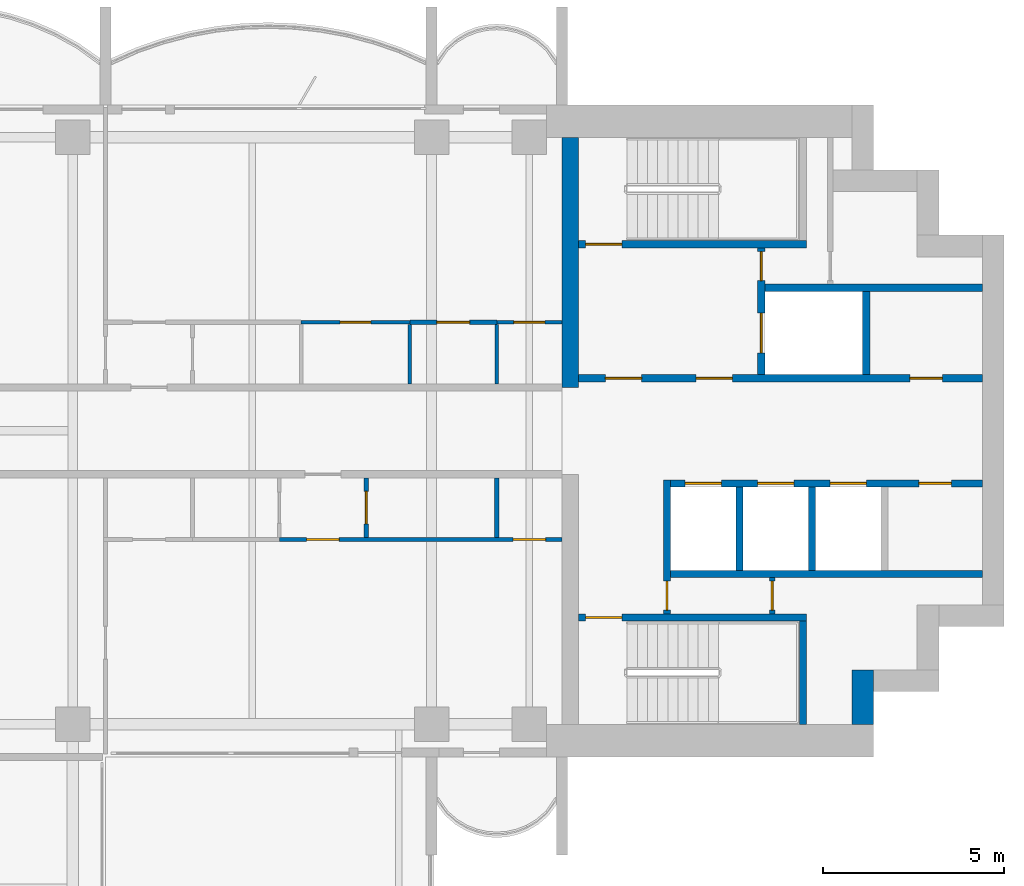
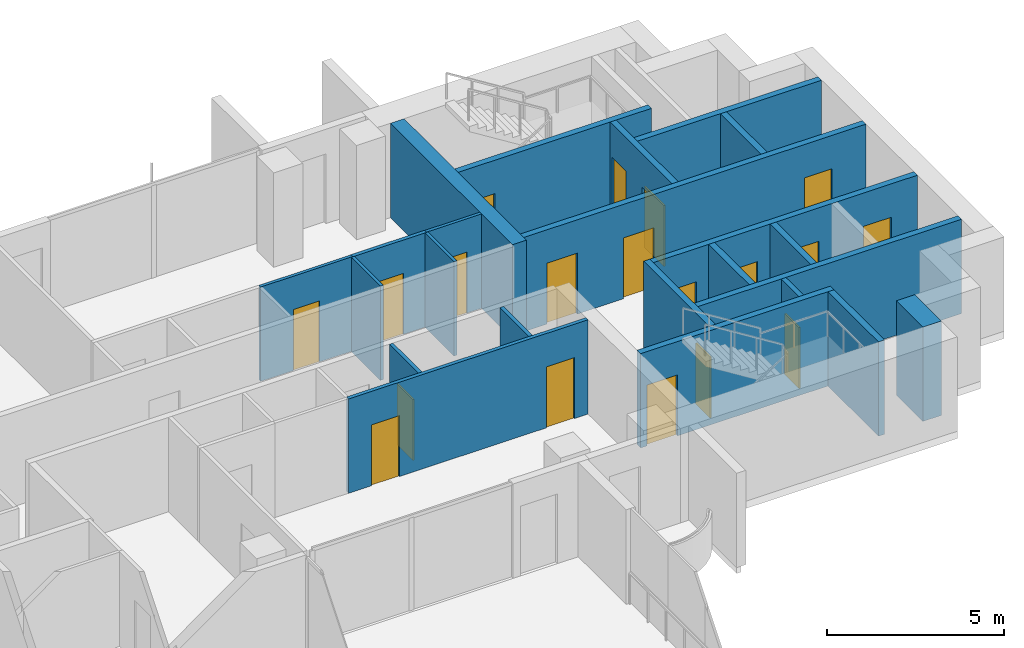
# One storey, part 12 of 17: 23 walls, 19 doors, 19 openings.
"""IFC4 building model written with IfcOpenShell, lengths in metres."""

from ifc_helpers import new_model, si_unit, direction, frame, frame_2d, origin, place, context, subcontext, project, spatial, rectangle, extrude, material, layer, layer_set, type_object, element, fill, save


model = new_model("IFC4")

# Units and contexts
model_context = context("Model", 3, precision=1e-05, world=origin(), true_north=direction((0.0, 1.0)))
body_context = subcontext(model_context, "Body", "Model", "MODEL_VIEW")
ifc_project = project(units=[si_unit("LENGTHUNIT", "METRE"), si_unit("AREAUNIT", "SQUARE_METRE"), si_unit("VOLUMEUNIT", "CUBIC_METRE"), si_unit("PLANEANGLEUNIT", "RADIAN"), si_unit("MASSUNIT", "GRAM", prefix="KILO")], contexts=[model_context])

# Site, building, storey
site_placement = place(None, origin())
site = spatial("IfcSite", under=ifc_project, at=site_placement, CompositionType="ELEMENT")
building_placement = place(site_placement, origin())
building = spatial("IfcBuilding", under=site, at=building_placement, Name="Perihelion Cross Residences", CompositionType="ELEMENT")
storey_placement = place(building_placement, frame((0.0, 0.0, 194.60009765625)))
storey = spatial("IfcBuildingStorey", under=building, at=storey_placement, Name="L48", CompositionType="ELEMENT", Elevation=194.60009765625)

# Walls
ifc_material_1 = material(Name="Concrete C60/75", Category="concrete")
ifc_layer_1 = layer(ifc_material_1, 0.449951171875)
ifc_layer_set_1 = layer_set([ifc_layer_1], Name="Core wall, inner 450")
wall_type_1 = type_object("IfcWallType", Name="Core wall, inner 450", PredefinedType="SHEAR", material=ifc_layer_set_1)
wall_1_placement = place(storey_placement, frame((21.824951171875, 1.199951171875, 0.0), z_axis=(0.0, 0.0, 1.0), x_axis=(0.0, 1.0, 0.0)))
element("IfcWall", 1, at=wall_1_placement, inside=storey, type_object=wall_type_1, Name="East core core wall, inner", PredefinedType="SHEAR", context=body_context, shape_type="SweptSolid", body=[
    extrude(rectangle(XDim=6.900146484375, YDim=0.449951171875, at=frame_2d((3.4501953125, 0.0))), origin(), (0.0, 0.0, 1.0), 3.25),
])
ifc_material_2 = material(Name="Concrete C60/75", Category="concrete")
ifc_layer_2 = layer(ifc_material_2, 0.60009765625)
ifc_layer_set_2 = layer_set([ifc_layer_2], Name="Core wall, outer 600")
wall_type_2 = type_object("IfcWallType", Name="Core wall, outer 600", PredefinedType="SHEAR", material=ifc_layer_set_2)
wall_2_placement = place(storey_placement, frame((29.89990234375, -8.10009765625, 0.0), z_axis=(0.0, 0.0, 1.0), x_axis=(0.0, 1.0, 0.0)))
element("IfcWall", 2, at=wall_2_placement, inside=storey, type_object=wall_type_2, Name="East core core wall, outer", PredefinedType="SHEAR", context=body_context, shape_type="SweptSolid", body=[
    extrude(rectangle(XDim=1.5, YDim=0.60009765625, at=frame_2d((0.75, 0.0))), origin(), (0.0, 0.0, 1.0), 3.25),
])

# Wall, opening, door
ifc_material_3 = material(Name="Concrete C50/60", Category="concrete")
ifc_layer_3 = layer(ifc_material_3, 0.199951171875)
ifc_layer_set_3 = layer_set([ifc_layer_3], Name="Lobby wall 200")
wall_type_3 = type_object("IfcWallType", Name="Lobby wall 200", PredefinedType="SOLIDWALL", material=ifc_layer_set_3)
wall_3_placement = place(storey_placement, frame((24.5, -5.050048828125, 0.0), z_axis=(0.0, 0.0, 1.0), x_axis=(0.0, 1.0, 0.0)))
wall_3 = element("IfcWall", 3, at=wall_3_placement, inside=storey, type_object=wall_type_3, Name="East core lobby wall", PredefinedType="SOLIDWALL", context=body_context, shape_type="SweptSolid", body=[
    extrude(rectangle(XDim=3.699951171875, YDim=0.199951171875, at=frame_2d((1.85009765625, 0.0))), origin(), (0.0, 0.0, 1.0), 3.25),
])
opening_1_placement = place(wall_3_placement, frame((0.10009765625, 0.0, 0.0)))
opening_1 = element("IfcOpeningElement", 4, at=opening_1_placement, cuts=wall_3, Name="Opening L48.C08", PredefinedType="OPENING", context=body_context, shape_type="SweptSolid", body=[
    extrude(rectangle(XDim=0.800048828125, YDim=2.10009765625, at=frame_2d((0.39990234375, 1.050048828125))), frame((0.0, 0.10986328125, 0.0), z_axis=(0.0, -1.0, 0.0), x_axis=(1.0, 0.0, 0.0)), (0.0, 0.0, 1.0), 0.219970703125),
])
ifc_material_4 = material(Name="Steel, powder coated", Category="steel")
door_type_1 = type_object("IfcDoorType", Name="Riser door 800", OperationType="SINGLE_SWING_LEFT", PredefinedType="DOOR", material=ifc_material_4)
door_1_placement = place(opening_1_placement, origin())
door_1 = element("IfcDoor", 5, at=door_1_placement, inside=storey, type_object=door_type_1, Name="East core riser door", OperationType="SINGLE_SWING_LEFT", OverallHeight=2.10009765625, OverallWidth=0.800048828125, PredefinedType="DOOR", context=body_context, shape_type="SweptSolid", body=[
    extrude(rectangle(XDim=0.800048828125, YDim=2.10009765625, at=frame_2d((0.39990234375, 1.050048828125))), frame((0.0, 0.02490234375, 0.0), z_axis=(0.0, -1.0, 0.0), x_axis=(1.0, 0.0, 0.0)), (0.0, 0.0, 1.0), 0.050048828125),
])
fill(opening_1, door_1)

ifc_material_5 = material(Name="Plasterboard partition")
ifc_layer_4 = layer(ifc_material_5, 0.1201171875)
ifc_layer_set_4 = layer_set([ifc_layer_4], Name="Partition wall 120")
wall_type_4 = type_object("IfcWallType", Name="Partition wall 120", PredefinedType="PARTITIONING", material=ifc_layer_set_4)
wall_4_placement = place(storey_placement, frame((17.39990234375, 3.0, 0.0), z_axis=(0.0, 0.0, 1.0), x_axis=(1.0, 0.0, 0.0)))
wall_4 = element("IfcWall", 6, at=wall_4_placement, inside=storey, type_object=wall_type_4, Name="Partition L48 W029", PredefinedType="PARTITIONING", context=body_context, shape_type="SweptSolid", body=[
    extrude(rectangle(XDim=2.400146484375, YDim=0.1201171875, at=frame_2d((1.2001953125, 0.0))), origin(), (0.0, 0.0, 1.0), 3.25),
])
opening_2_placement = place(wall_4_placement, frame((0.75, 0.0, 0.0)))
opening_2 = element("IfcOpeningElement", 7, at=opening_2_placement, cuts=wall_4, Name="Opening L48.A08", PredefinedType="OPENING", context=body_context, shape_type="SweptSolid", body=[
    extrude(rectangle(XDim=0.89990234375, YDim=2.10009765625, at=frame_2d((0.449951171875, 1.050048828125))), frame((0.0, 0.070068359375, 0.0), z_axis=(0.0, -1.0, 0.0), x_axis=(1.0, 0.0, 0.0)), (0.0, 0.0, 1.0), 0.14013671875),
])
ifc_material_6 = material(Name="Timber door leaf", Category="wood")
door_type_2 = type_object("IfcDoorType", Name="Interior room door 900 x 2100", OperationType="SINGLE_SWING_LEFT", PredefinedType="DOOR", material=ifc_material_6)
door_2_placement = place(opening_2_placement, origin())
door_2 = element("IfcDoor", 8, at=door_2_placement, inside=storey, type_object=door_type_2, Name="Door L48.A08", OperationType="SINGLE_SWING_RIGHT", OverallHeight=2.10009765625, OverallWidth=0.89990234375, PredefinedType="DOOR", context=body_context, shape_type="SweptSolid", body=[
    extrude(rectangle(XDim=0.89990234375, YDim=2.10009765625, at=frame_2d((0.449951171875, 1.050048828125))), frame((0.0, 0.02490234375, 0.0), z_axis=(0.0, -1.0, 0.0), x_axis=(1.0, 0.0, 0.0)), (0.0, 0.0, 1.0), 0.050048828125),
])
fill(opening_2, door_2)

wall_5_placement = place(storey_placement, frame((16.199951171875, -1.300048828125, 0.0), z_axis=(0.0, 0.0, 1.0), x_axis=(0.0, -1.0, 0.0)))
wall_5 = element("IfcWall", 9, at=wall_5_placement, inside=storey, type_object=wall_type_4, Name="Partition L48 W037", PredefinedType="PARTITIONING", context=body_context, shape_type="SweptSolid", body=[
    extrude(rectangle(XDim=1.639892578125, YDim=0.1201171875, at=frame_2d((0.81982421875, 0.0))), origin(), (0.0, 0.0, 1.0), 3.25),
])
opening_3_placement = place(wall_5_placement, frame((0.3701171875, 0.0, 0.0)))
opening_3 = element("IfcOpeningElement", 10, at=opening_3_placement, cuts=wall_5, Name="Opening L48.A10", PredefinedType="OPENING", context=body_context, shape_type="SweptSolid", body=[
    extrude(rectangle(XDim=0.89990234375, YDim=2.10009765625, at=frame_2d((0.449951171875, 1.050048828125))), frame((0.0, 0.070068359375, 0.0), z_axis=(0.0, -1.0, 0.0), x_axis=(1.0, 0.0, 0.0)), (0.0, 0.0, 1.0), 0.14013671875),
])
door_3_placement = place(opening_3_placement, origin())
door_3 = element("IfcDoor", 11, at=door_3_placement, inside=storey, type_object=door_type_2, Name="Door L48.A10", OperationType="SINGLE_SWING_LEFT", OverallHeight=2.10009765625, OverallWidth=0.89990234375, PredefinedType="DOOR", context=body_context, shape_type="SweptSolid", body=[
    extrude(rectangle(XDim=0.89990234375, YDim=2.10009765625, at=frame_2d((0.449951171875, 1.050048828125))), frame((0.0, 0.02490234375, 0.0), z_axis=(0.0, -1.0, 0.0), x_axis=(1.0, 0.0, 0.0)), (0.0, 0.0, 1.0), 0.050048828125),
])
fill(opening_3, door_3)

# Wall, openings, doors
wall_6_placement = place(storey_placement, frame((21.60009765625, -3.0, 0.0), z_axis=(0.0, 0.0, 1.0), x_axis=(-1.0, 0.0, 0.0)))
wall_6 = element("IfcWall", 12, at=wall_6_placement, inside=storey, type_object=wall_type_4, Name="Partition L48 W038", PredefinedType="PARTITIONING", context=body_context, shape_type="SweptSolid", body=[
    extrude(rectangle(XDim=7.800048828125, YDim=0.1201171875, at=frame_2d((3.89990234375, 0.0))), origin(), (0.0, 0.0, 1.0), 3.25),
])
opening_4_placement = place(wall_6_placement, frame((0.449951171875, 0.0, 0.0)))
opening_4 = element("IfcOpeningElement", 13, at=opening_4_placement, cuts=wall_6, Name="Opening L48.A11", PredefinedType="OPENING", context=body_context, shape_type="SweptSolid", body=[
    extrude(rectangle(XDim=0.89990234375, YDim=2.10009765625, at=frame_2d((0.449951171875, 1.050048828125))), frame((0.0, 0.070068359375, 0.0), z_axis=(0.0, -1.0, 0.0), x_axis=(1.0, 0.0, 0.0)), (0.0, 0.0, 1.0), 0.14013671875),
])
opening_5_placement = place(wall_6_placement, frame((6.14990234375, 0.0, 0.0)))
opening_5 = element("IfcOpeningElement", 14, at=opening_5_placement, cuts=wall_6, Name="Opening L48.A15", PredefinedType="OPENING", context=body_context, shape_type="SweptSolid", body=[
    extrude(rectangle(XDim=0.89990234375, YDim=2.10009765625, at=frame_2d((0.449951171875, 1.050048828125))), frame((0.0, 0.070068359375, 0.0), z_axis=(0.0, -1.0, 0.0), x_axis=(1.0, 0.0, 0.0)), (0.0, 0.0, 1.0), 0.14013671875),
])
door_4_placement = place(opening_4_placement, origin())
door_4 = element("IfcDoor", 15, at=door_4_placement, inside=storey, type_object=door_type_2, Name="Door L48.A11", OperationType="SINGLE_SWING_RIGHT", OverallHeight=2.10009765625, OverallWidth=0.89990234375, PredefinedType="DOOR", context=body_context, shape_type="SweptSolid", body=[
    extrude(rectangle(XDim=0.89990234375, YDim=2.10009765625, at=frame_2d((0.449951171875, 1.050048828125))), frame((0.0, 0.02490234375, 0.0), z_axis=(0.0, -1.0, 0.0), x_axis=(1.0, 0.0, 0.0)), (0.0, 0.0, 1.0), 0.050048828125),
])
fill(opening_4, door_4)
door_5_placement = place(opening_5_placement, origin())
door_5 = element("IfcDoor", 16, at=door_5_placement, inside=storey, type_object=door_type_2, Name="Door L48.A15", OperationType="SINGLE_SWING_RIGHT", OverallHeight=2.10009765625, OverallWidth=0.89990234375, PredefinedType="DOOR", context=body_context, shape_type="SweptSolid", body=[
    extrude(rectangle(XDim=0.89990234375, YDim=2.10009765625, at=frame_2d((0.449951171875, 1.050048828125))), frame((0.0, 0.02490234375, 0.0), z_axis=(0.0, -1.0, 0.0), x_axis=(1.0, 0.0, 0.0)), (0.0, 0.0, 1.0), 0.050048828125),
])
fill(opening_5, door_5)

# Wall
wall_7_placement = place(storey_placement, frame((19.800048828125, -1.300048828125, 0.0), z_axis=(0.0, 0.0, 1.0), x_axis=(0.0, -1.0, 0.0)))
element("IfcWall", 17, at=wall_7_placement, inside=storey, type_object=wall_type_4, Name="Partition L48 W039", PredefinedType="PARTITIONING", context=body_context, shape_type="SweptSolid", body=[
    extrude(rectangle(XDim=1.639892578125, YDim=0.1201171875, at=frame_2d((0.81982421875, 0.0))), origin(), (0.0, 0.0, 1.0), 3.25),
])

# Wall, opening, door
ifc_material_7 = material(Name="Fire-rated board on steel stud", Category="steel")
ifc_layer_5 = layer(ifc_material_7, 0.14990234375)
ifc_layer_set_5 = layer_set([ifc_layer_5], Name="Riser wall 150")
wall_type_5 = type_object("IfcWallType", Name="Riser wall 150", PredefinedType="PARTITIONING", material=ifc_layer_set_5)
wall_8_placement = place(storey_placement, frame((27.39990234375, -5.050048828125, 0.0), z_axis=(0.0, 0.0, 1.0), x_axis=(0.0, 1.0, 0.0)))
wall_8 = element("IfcWall", 18, at=wall_8_placement, inside=storey, type_object=wall_type_5, Name="East core riser wall", PredefinedType="PARTITIONING", context=body_context, shape_type="SweptSolid", body=[
    extrude(rectangle(XDim=1.0, YDim=0.14990234375, at=frame_2d((0.5, 0.0))), origin(), (0.0, 0.0, 1.0), 3.25),
])
opening_6_placement = place(wall_8_placement, frame((0.10009765625, 0.0, 0.0)))
opening_6 = element("IfcOpeningElement", 19, at=opening_6_placement, cuts=wall_8, Name="Opening L48.C11", PredefinedType="OPENING", context=body_context, shape_type="SweptSolid", body=[
    extrude(rectangle(XDim=0.800048828125, YDim=2.10009765625, at=frame_2d((0.39990234375, 1.050048828125))), frame((0.0, 0.0849609375, 0.0), z_axis=(0.0, -1.0, 0.0), x_axis=(1.0, 0.0, 0.0)), (0.0, 0.0, 1.0), 0.169921875),
])
door_6_placement = place(opening_6_placement, origin())
door_6 = element("IfcDoor", 20, at=door_6_placement, inside=storey, type_object=door_type_1, Name="East core riser door", OperationType="SINGLE_SWING_LEFT", OverallHeight=2.10009765625, OverallWidth=0.800048828125, PredefinedType="DOOR", context=body_context, shape_type="SweptSolid", body=[
    extrude(rectangle(XDim=0.800048828125, YDim=2.10009765625, at=frame_2d((0.39990234375, 1.050048828125))), frame((0.0, 0.02490234375, 0.0), z_axis=(0.0, -1.0, 0.0), x_axis=(1.0, 0.0, 0.0)), (0.0, 0.0, 1.0), 0.050048828125),
])
fill(opening_6, door_6)

# Wall, openings, doors
ifc_material_8 = material(Name="Concrete C50/60", Category="concrete")
ifc_layer_6 = layer(ifc_material_8, 0.199951171875)
ifc_layer_set_6 = layer_set([ifc_layer_6], Name="Shaft wall 200")
wall_type_6 = type_object("IfcWallType", Name="Shaft wall 200", PredefinedType="SOLIDWALL", material=ifc_layer_set_6)
wall_9_placement = place(storey_placement, frame((22.050048828125, 1.449951171875, 0.0), z_axis=(0.0, 0.0, 1.0), x_axis=(1.0, 0.0, 0.0)))
wall_9 = element("IfcWall", 21, at=wall_9_placement, inside=storey, type_object=wall_type_6, Name="East core shaft wall", PredefinedType="SOLIDWALL", context=body_context, shape_type="SweptSolid", body=[
    extrude(rectangle(XDim=11.14990234375, YDim=0.199951171875, at=frame_2d((5.574951171875, 0.0))), origin(), (0.0, 0.0, 1.0), 3.25),
])
opening_7_placement = place(wall_9_placement, frame((0.75, 0.0, 0.0)))
opening_7 = element("IfcOpeningElement", 22, at=opening_7_placement, cuts=wall_9, Name="Opening L48.C07", PredefinedType="OPENING", context=body_context, shape_type="SweptSolid", body=[
    extrude(rectangle(XDim=1.0, YDim=2.10009765625, at=frame_2d((0.5, 1.050048828125))), frame((0.0, 0.10986328125, 0.0), z_axis=(0.0, -1.0, 0.0), x_axis=(1.0, 0.0, 0.0)), (0.0, 0.0, 1.0), 0.219970703125),
])
opening_8_placement = place(wall_9_placement, frame((3.25, 0.0, 0.0)))
opening_8 = element("IfcOpeningElement", 23, at=opening_8_placement, cuts=wall_9, Name="Opening L48.C09", PredefinedType="OPENING", context=body_context, shape_type="SweptSolid", body=[
    extrude(rectangle(XDim=1.0, YDim=2.10009765625, at=frame_2d((0.5, 1.050048828125))), frame((0.0, 0.10986328125, 0.0), z_axis=(0.0, -1.0, 0.0), x_axis=(1.0, 0.0, 0.0)), (0.0, 0.0, 1.0), 0.219970703125),
])
opening_9_placement = place(wall_9_placement, frame((9.14990234375, 0.0, 0.0)))
opening_9 = element("IfcOpeningElement", 24, at=opening_9_placement, cuts=wall_9, Name="Opening L48.C13", PredefinedType="OPENING", context=body_context, shape_type="SweptSolid", body=[
    extrude(rectangle(XDim=0.89990234375, YDim=2.10009765625, at=frame_2d((0.449951171875, 1.050048828125))), frame((0.0, 0.10986328125, 0.0), z_axis=(0.0, -1.0, 0.0), x_axis=(1.0, 0.0, 0.0)), (0.0, 0.0, 1.0), 0.219970703125),
])
ifc_material_9 = material(Name="Steel, powder coated", Category="steel")
door_type_3 = type_object("IfcDoorType", Name="Lobby door 1000", OperationType="SINGLE_SWING_LEFT", PredefinedType="DOOR", material=ifc_material_9)
door_7_placement = place(opening_7_placement, origin())
door_7 = element("IfcDoor", 25, at=door_7_placement, inside=storey, type_object=door_type_3, Name="East core firefighting lobby door", OperationType="SINGLE_SWING_LEFT", OverallHeight=2.10009765625, OverallWidth=1.0, PredefinedType="DOOR", context=body_context, shape_type="SweptSolid", body=[
    extrude(rectangle(XDim=1.0, YDim=2.10009765625, at=frame_2d((0.5, 1.050048828125))), frame((0.0, 0.02490234375, 0.0), z_axis=(0.0, -1.0, 0.0), x_axis=(1.0, 0.0, 0.0)), (0.0, 0.0, 1.0), 0.050048828125),
])
fill(opening_7, door_7)
door_8_placement = place(opening_8_placement, origin())
door_8 = element("IfcDoor", 26, at=door_8_placement, inside=storey, type_object=door_type_3, Name="East core firefighting lobby door", OperationType="SINGLE_SWING_LEFT", OverallHeight=2.10009765625, OverallWidth=1.0, PredefinedType="DOOR", context=body_context, shape_type="SweptSolid", body=[
    extrude(rectangle(XDim=1.0, YDim=2.10009765625, at=frame_2d((0.5, 1.050048828125))), frame((0.0, 0.02490234375, 0.0), z_axis=(0.0, -1.0, 0.0), x_axis=(1.0, 0.0, 0.0)), (0.0, 0.0, 1.0), 0.050048828125),
])
fill(opening_8, door_8)
ifc_material_10 = material(Name="Steel, powder coated", Category="steel")
door_type_4 = type_object("IfcDoorType", Name="Service room door 900", OperationType="SINGLE_SWING_LEFT", PredefinedType="DOOR", material=ifc_material_10)
door_9_placement = place(opening_9_placement, origin())
door_9 = element("IfcDoor", 27, at=door_9_placement, inside=storey, type_object=door_type_4, Name="East core service room door", OperationType="SINGLE_SWING_LEFT", OverallHeight=2.10009765625, OverallWidth=0.89990234375, PredefinedType="DOOR", context=body_context, shape_type="SweptSolid", body=[
    extrude(rectangle(XDim=0.89990234375, YDim=2.10009765625, at=frame_2d((0.449951171875, 1.050048828125))), frame((0.0, 0.02490234375, 0.0), z_axis=(0.0, -1.0, 0.0), x_axis=(1.0, 0.0, 0.0)), (0.0, 0.0, 1.0), 0.050048828125),
])
fill(opening_9, door_9)

wall_10_placement = place(storey_placement, frame((24.60009765625, -1.449951171875, 0.0), z_axis=(0.0, 0.0, 1.0), x_axis=(1.0, 0.0, 0.0)))
wall_10 = element("IfcWall", 28, at=wall_10_placement, inside=storey, type_object=wall_type_6, Name="East core shaft wall", PredefinedType="SOLIDWALL", context=body_context, shape_type="SweptSolid", body=[
    extrude(rectangle(XDim=8.599853515625, YDim=0.199951171875, at=frame_2d((4.2998046875, 0.0))), origin(), (0.0, 0.0, 1.0), 3.25),
])
opening_10_placement = place(wall_10_placement, frame((0.39990234375, 0.0, 0.0)))
opening_10 = element("IfcOpeningElement", 29, at=opening_10_placement, cuts=wall_10, Name="Opening L48.C01", PredefinedType="OPENING", context=body_context, shape_type="SweptSolid", body=[
    extrude(rectangle(XDim=1.0, YDim=2.10009765625, at=frame_2d((0.5, 1.050048828125))), frame((0.0, 0.10986328125, 0.0), z_axis=(0.0, -1.0, 0.0), x_axis=(1.0, 0.0, 0.0)), (0.0, 0.0, 1.0), 0.219970703125),
])
opening_11_placement = place(wall_10_placement, frame((2.39990234375, 0.0, 0.0)))
opening_11 = element("IfcOpeningElement", 30, at=opening_11_placement, cuts=wall_10, Name="Opening L48.C03", PredefinedType="OPENING", context=body_context, shape_type="SweptSolid", body=[
    extrude(rectangle(XDim=1.0, YDim=2.10009765625, at=frame_2d((0.5, 1.050048828125))), frame((0.0, 0.10986328125, 0.0), z_axis=(0.0, -1.0, 0.0), x_axis=(1.0, 0.0, 0.0)), (0.0, 0.0, 1.0), 0.219970703125),
])
opening_12_placement = place(wall_10_placement, frame((4.39990234375, 0.0, 0.0)))
opening_12 = element("IfcOpeningElement", 31, at=opening_12_placement, cuts=wall_10, Name="Opening L48.C04", PredefinedType="OPENING", context=body_context, shape_type="SweptSolid", body=[
    extrude(rectangle(XDim=1.0, YDim=2.10009765625, at=frame_2d((0.5, 1.050048828125))), frame((0.0, 0.10986328125, 0.0), z_axis=(0.0, -1.0, 0.0), x_axis=(1.0, 0.0, 0.0)), (0.0, 0.0, 1.0), 0.219970703125),
])
opening_13_placement = place(wall_10_placement, frame((6.85009765625, 0.0, 0.0)))
opening_13 = element("IfcOpeningElement", 32, at=opening_13_placement, cuts=wall_10, Name="Opening L48.C14", PredefinedType="OPENING", context=body_context, shape_type="SweptSolid", body=[
    extrude(rectangle(XDim=0.89990234375, YDim=2.10009765625, at=frame_2d((0.449951171875, 1.050048828125))), frame((0.0, 0.10986328125, 0.0), z_axis=(0.0, -1.0, 0.0), x_axis=(1.0, 0.0, 0.0)), (0.0, 0.0, 1.0), 0.219970703125),
])
ifc_material_11 = material(Name="Stainless steel", Category="steel")
door_type_5 = type_object("IfcDoorType", Name="Landing door 1000", OperationType="DOUBLE_DOOR_SLIDING", PredefinedType="DOOR", material=ifc_material_11)
door_10_placement = place(opening_10_placement, origin())
door_10 = element("IfcDoor", 33, at=door_10_placement, inside=storey, type_object=door_type_5, Name="Landing door, East core high-rise lift 1", OperationType="DOUBLE_DOOR_SLIDING", OverallHeight=2.10009765625, OverallWidth=1.0, PredefinedType="DOOR", context=body_context, shape_type="SweptSolid", body=[
    extrude(rectangle(XDim=1.0, YDim=2.10009765625, at=frame_2d((0.5, 1.050048828125))), frame((0.0, 0.02490234375, 0.0), z_axis=(0.0, -1.0, 0.0), x_axis=(1.0, 0.0, 0.0)), (0.0, 0.0, 1.0), 0.050048828125),
])
fill(opening_10, door_10)
door_11_placement = place(opening_11_placement, origin())
door_11 = element("IfcDoor", 34, at=door_11_placement, inside=storey, type_object=door_type_5, Name="Landing door, East core high-rise lift 2", OperationType="DOUBLE_DOOR_SLIDING", OverallHeight=2.10009765625, OverallWidth=1.0, PredefinedType="DOOR", context=body_context, shape_type="SweptSolid", body=[
    extrude(rectangle(XDim=1.0, YDim=2.10009765625, at=frame_2d((0.5, 1.050048828125))), frame((0.0, 0.02490234375, 0.0), z_axis=(0.0, -1.0, 0.0), x_axis=(1.0, 0.0, 0.0)), (0.0, 0.0, 1.0), 0.050048828125),
])
fill(opening_11, door_11)
door_12_placement = place(opening_12_placement, origin())
door_12 = element("IfcDoor", 35, at=door_12_placement, inside=storey, type_object=door_type_5, Name="Landing door, East core high-rise lift 3", OperationType="DOUBLE_DOOR_SLIDING", OverallHeight=2.10009765625, OverallWidth=1.0, PredefinedType="DOOR", context=body_context, shape_type="SweptSolid", body=[
    extrude(rectangle(XDim=1.0, YDim=2.10009765625, at=frame_2d((0.5, 1.050048828125))), frame((0.0, 0.02490234375, 0.0), z_axis=(0.0, -1.0, 0.0), x_axis=(1.0, 0.0, 0.0)), (0.0, 0.0, 1.0), 0.050048828125),
])
fill(opening_12, door_12)
door_13_placement = place(opening_13_placement, origin())
door_13 = element("IfcDoor", 36, at=door_13_placement, inside=storey, type_object=door_type_4, Name="East core service room door", OperationType="SINGLE_SWING_LEFT", OverallHeight=2.10009765625, OverallWidth=0.89990234375, PredefinedType="DOOR", context=body_context, shape_type="SweptSolid", body=[
    extrude(rectangle(XDim=0.89990234375, YDim=2.10009765625, at=frame_2d((0.449951171875, 1.050048828125))), frame((0.0, 0.02490234375, 0.0), z_axis=(0.0, -1.0, 0.0), x_axis=(1.0, 0.0, 0.0)), (0.0, 0.0, 1.0), 0.050048828125),
])
fill(opening_13, door_13)

# Walls
wall_11_placement = place(storey_placement, frame((27.199951171875, 3.949951171875, 0.0), z_axis=(0.0, 0.0, 1.0), x_axis=(1.0, 0.0, 0.0)))
element("IfcWall", 37, at=wall_11_placement, inside=storey, type_object=wall_type_6, Name="East core shaft wall", PredefinedType="SOLIDWALL", context=body_context, shape_type="SweptSolid", body=[
    extrude(rectangle(XDim=6.0, YDim=0.199951171875, at=frame_2d((3.0, 0.0))), origin(), (0.0, 0.0, 1.0), 3.25),
])
wall_12_placement = place(storey_placement, frame((24.60009765625, -3.949951171875, 0.0), z_axis=(0.0, 0.0, 1.0), x_axis=(1.0, 0.0, 0.0)))
element("IfcWall", 38, at=wall_12_placement, inside=storey, type_object=wall_type_6, Name="East core shaft wall", PredefinedType="SOLIDWALL", context=body_context, shape_type="SweptSolid", body=[
    extrude(rectangle(XDim=8.599853515625, YDim=0.199951171875, at=frame_2d((4.2998046875, 0.0))), origin(), (0.0, 0.0, 1.0), 3.25),
])

# Wall, openings, doors
wall_13_placement = place(storey_placement, frame((27.10009765625, 1.550048828125, 0.0), z_axis=(0.0, 0.0, 1.0), x_axis=(0.0, 1.0, 0.0)))
wall_13 = element("IfcWall", 39, at=wall_13_placement, inside=storey, type_object=wall_type_6, Name="East core shaft wall", PredefinedType="SOLIDWALL", context=body_context, shape_type="SweptSolid", body=[
    extrude(rectangle(XDim=3.5, YDim=0.199951171875, at=frame_2d((1.75, 0.0))), origin(), (0.0, 0.0, 1.0), 3.25),
])
opening_14_placement = place(wall_13_placement, frame((0.60009765625, 0.0, 0.0)))
opening_14 = element("IfcOpeningElement", 40, at=opening_14_placement, cuts=wall_13, Name="Opening L48.C02", PredefinedType="OPENING", context=body_context, shape_type="SweptSolid", body=[
    extrude(rectangle(XDim=1.10009765625, YDim=2.10009765625, at=frame_2d((0.550048828125, 1.050048828125))), frame((0.0, 0.10986328125, 0.0), z_axis=(0.0, -1.0, 0.0), x_axis=(1.0, 0.0, 0.0)), (0.0, 0.0, 1.0), 0.219970703125),
])
opening_15_placement = place(wall_13_placement, frame((2.60009765625, 0.0, 0.0)))
opening_15 = element("IfcOpeningElement", 41, at=opening_15_placement, cuts=wall_13, Name="Opening L48.C10", PredefinedType="OPENING", context=body_context, shape_type="SweptSolid", body=[
    extrude(rectangle(XDim=0.800048828125, YDim=2.10009765625, at=frame_2d((0.39990234375, 1.050048828125))), frame((0.0, 0.10986328125, 0.0), z_axis=(0.0, -1.0, 0.0), x_axis=(1.0, 0.0, 0.0)), (0.0, 0.0, 1.0), 0.219970703125),
])
ifc_material_12 = material(Name="Stainless steel", Category="steel")
door_type_6 = type_object("IfcDoorType", Name="Landing door, firefighting lift 1100", OperationType="DOUBLE_DOOR_SLIDING", PredefinedType="DOOR", material=ifc_material_12)
door_14_placement = place(opening_14_placement, origin())
door_14 = element("IfcDoor", 42, at=door_14_placement, inside=storey, type_object=door_type_6, Name="Landing door, East core firefighting and service lift", OperationType="DOUBLE_DOOR_SLIDING", OverallHeight=2.10009765625, OverallWidth=1.10009765625, PredefinedType="DOOR", context=body_context, shape_type="SweptSolid", body=[
    extrude(rectangle(XDim=1.10009765625, YDim=2.10009765625, at=frame_2d((0.550048828125, 1.050048828125))), frame((0.0, 0.02490234375, 0.0), z_axis=(0.0, -1.0, 0.0), x_axis=(1.0, 0.0, 0.0)), (0.0, 0.0, 1.0), 0.050048828125),
])
fill(opening_14, door_14)
door_15_placement = place(opening_15_placement, origin())
door_15 = element("IfcDoor", 43, at=door_15_placement, inside=storey, type_object=door_type_1, Name="East core riser door", OperationType="SINGLE_SWING_LEFT", OverallHeight=2.10009765625, OverallWidth=0.800048828125, PredefinedType="DOOR", context=body_context, shape_type="SweptSolid", body=[
    extrude(rectangle(XDim=0.800048828125, YDim=2.10009765625, at=frame_2d((0.39990234375, 1.050048828125))), frame((0.0, 0.02490234375, 0.0), z_axis=(0.0, -1.0, 0.0), x_axis=(1.0, 0.0, 0.0)), (0.0, 0.0, 1.0), 0.050048828125),
])
fill(opening_15, door_15)

# Walls
for number, where, z_axis, x_axis, name in (
    (44, (30.0, 1.550048828125, 0.0), (0.0, 0.0, 1.0), (0.0, 1.0, 0.0), "East core shaft wall"),
    (45, (26.5, -3.85009765625, 0.0), (0.0, 0.0, 1.0), (0.0, 1.0, 0.0), "East core shaft wall"),
    (46, (28.5, -3.85009765625, 0.0), (0.0, 0.0, 1.0), (0.0, 1.0, 0.0), "East core shaft wall"),
):
    element("IfcWall", number, at=place(storey_placement, frame(where, z_axis=z_axis, x_axis=x_axis)), inside=storey, type_object=wall_type_6, Name=name, PredefinedType="SOLIDWALL", context=body_context, shape_type="SweptSolid", body=[
        extrude(rectangle(XDim=2.300048828125, YDim=0.199951171875, at=frame_2d((1.14990234375, 0.0))), origin(), (0.0, 0.0, 1.0), 3.25),
    ])

# Wall, opening, door
ifc_material_13 = material(Name="Concrete C50/60", Category="concrete")
ifc_layer_7 = layer(ifc_material_13, 0.199951171875)
ifc_layer_set_7 = layer_set([ifc_layer_7], Name="Stair wall 200")
wall_type_7 = type_object("IfcWallType", Name="Stair wall 200", PredefinedType="SOLIDWALL", material=ifc_layer_set_7)
wall_14_placement = place(storey_placement, frame((22.050048828125, 5.14990234375, 0.0), z_axis=(0.0, 0.0, 1.0), x_axis=(1.0, 0.0, 0.0)))
wall_14 = element("IfcWall", 47, at=wall_14_placement, inside=storey, type_object=wall_type_7, Name="East core stair wall", PredefinedType="SOLIDWALL", context=body_context, shape_type="SweptSolid", body=[
    extrude(rectangle(XDim=6.300048828125, YDim=0.199951171875, at=frame_2d((3.14990234375, 0.0))), origin(), (0.0, 0.0, 1.0), 3.25),
])
opening_16_placement = place(wall_14_placement, frame((0.199951171875, 0.0, 0.0)))
opening_16 = element("IfcOpeningElement", 48, at=opening_16_placement, cuts=wall_14, Name="Opening L48.C06", PredefinedType="OPENING", context=body_context, shape_type="SweptSolid", body=[
    extrude(rectangle(XDim=1.0, YDim=2.10009765625, at=frame_2d((0.5, 1.050048828125))), frame((0.0, 0.10986328125, 0.0), z_axis=(0.0, -1.0, 0.0), x_axis=(1.0, 0.0, 0.0)), (0.0, 0.0, 1.0), 0.219970703125),
])
ifc_material_14 = material(Name="Steel, powder coated", Category="steel")
door_type_7 = type_object("IfcDoorType", Name="Stair door 1000", OperationType="SINGLE_SWING_LEFT", PredefinedType="DOOR", material=ifc_material_14)
door_16_placement = place(opening_16_placement, origin())
door_16 = element("IfcDoor", 49, at=door_16_placement, inside=storey, type_object=door_type_7, Name="East core stair door", OperationType="SINGLE_SWING_LEFT", OverallHeight=2.10009765625, OverallWidth=1.0, PredefinedType="DOOR", context=body_context, shape_type="SweptSolid", body=[
    extrude(rectangle(XDim=1.0, YDim=2.10009765625, at=frame_2d((0.5, 1.050048828125))), frame((0.0, 0.02490234375, 0.0), z_axis=(0.0, -1.0, 0.0), x_axis=(1.0, 0.0, 0.0)), (0.0, 0.0, 1.0), 0.050048828125),
])
fill(opening_16, door_16)

wall_15_placement = place(storey_placement, frame((22.050048828125, -5.14990234375, 0.0), z_axis=(0.0, 0.0, 1.0), x_axis=(1.0, 0.0, 0.0)))
wall_15 = element("IfcWall", 50, at=wall_15_placement, inside=storey, type_object=wall_type_7, Name="East core stair wall", PredefinedType="SOLIDWALL", context=body_context, shape_type="SweptSolid", body=[
    extrude(rectangle(XDim=6.300048828125, YDim=0.199951171875, at=frame_2d((3.14990234375, 0.0))), origin(), (0.0, 0.0, 1.0), 3.25),
])
opening_17_placement = place(wall_15_placement, frame((0.199951171875, 0.0, 0.0)))
opening_17 = element("IfcOpeningElement", 51, at=opening_17_placement, cuts=wall_15, Name="Opening L48.C05", PredefinedType="OPENING", context=body_context, shape_type="SweptSolid", body=[
    extrude(rectangle(XDim=1.0, YDim=2.10009765625, at=frame_2d((0.5, 1.050048828125))), frame((0.0, 0.10986328125, 0.0), z_axis=(0.0, -1.0, 0.0), x_axis=(1.0, 0.0, 0.0)), (0.0, 0.0, 1.0), 0.219970703125),
])
door_17_placement = place(opening_17_placement, origin())
door_17 = element("IfcDoor", 52, at=door_17_placement, inside=storey, type_object=door_type_7, Name="East core stair door", OperationType="SINGLE_SWING_LEFT", OverallHeight=2.10009765625, OverallWidth=1.0, PredefinedType="DOOR", context=body_context, shape_type="SweptSolid", body=[
    extrude(rectangle(XDim=1.0, YDim=2.10009765625, at=frame_2d((0.5, 1.050048828125))), frame((0.0, 0.02490234375, 0.0), z_axis=(0.0, -1.0, 0.0), x_axis=(1.0, 0.0, 0.0)), (0.0, 0.0, 1.0), 0.050048828125),
])
fill(opening_17, door_17)

# Walls
wall_16_placement = place(storey_placement, frame((28.25, -8.10009765625, 0.0), z_axis=(0.0, 0.0, 1.0), x_axis=(0.0, 1.0, 0.0)))
element("IfcWall", 53, at=wall_16_placement, inside=storey, type_object=wall_type_7, Name="East core stair wall", PredefinedType="SOLIDWALL", context=body_context, shape_type="SweptSolid", body=[
    extrude(rectangle(XDim=2.85009765625, YDim=0.199951171875, at=frame_2d((1.425048828125, 0.0))), origin(), (0.0, 0.0, 1.0), 3.25),
])
ifc_material_15 = material(Name="Plasterboard partition")
ifc_layer_8 = layer(ifc_material_15, 0.10009765625)
ifc_layer_set_8 = layer_set([ifc_layer_8], Name="Wet room wall 100")
wall_type_8 = type_object("IfcWallType", Name="Wet room wall 100", PredefinedType="PARTITIONING", material=ifc_layer_set_8)
wall_17_placement = place(storey_placement, frame((17.39990234375, 2.93994140625, 0.0), z_axis=(0.0, 0.0, 1.0), x_axis=(0.0, -1.0, 0.0)))
element("IfcWall", 54, at=wall_17_placement, inside=storey, type_object=wall_type_8, Name="Partition L48 W026", PredefinedType="PARTITIONING", context=body_context, shape_type="SweptSolid", body=[
    extrude(rectangle(XDim=1.639892578125, YDim=0.10009765625, at=frame_2d((0.81982421875, 0.0))), origin(), (0.0, 0.0, 1.0), 3.25),
])

# Wall, opening, door
wall_18_placement = place(storey_placement, frame((14.39990234375, 3.0, 0.0), z_axis=(0.0, 0.0, 1.0), x_axis=(1.0, 0.0, 0.0)))
wall_18 = element("IfcWall", 55, at=wall_18_placement, inside=storey, type_object=wall_type_8, Name="Partition L48 W027", PredefinedType="PARTITIONING", context=body_context, shape_type="SweptSolid", body=[
    extrude(rectangle(XDim=3.0, YDim=0.10009765625, at=frame_2d((1.5, 0.0))), origin(), (0.0, 0.0, 1.0), 3.25),
])
opening_18_placement = place(wall_18_placement, frame((1.074951171875, 0.0, 0.0)))
opening_18 = element("IfcOpeningElement", 56, at=opening_18_placement, cuts=wall_18, Name="Opening L48.A02", PredefinedType="OPENING", context=body_context, shape_type="SweptSolid", body=[
    extrude(rectangle(XDim=0.85009765625, YDim=2.10009765625, at=frame_2d((0.425048828125, 1.050048828125))), frame((0.0, 0.06005859375, 0.0), z_axis=(0.0, -1.0, 0.0), x_axis=(1.0, 0.0, 0.0)), (0.0, 0.0, 1.0), 0.1201171875),
])
ifc_material_16 = material(Name="Timber door leaf", Category="wood")
door_type_8 = type_object("IfcDoorType", Name="Interior bathroom door 850 x 2100", OperationType="SINGLE_SWING_LEFT", PredefinedType="DOOR", material=ifc_material_16)
door_18_placement = place(opening_18_placement, origin())
door_18 = element("IfcDoor", 57, at=door_18_placement, inside=storey, type_object=door_type_8, Name="Door L48.A02", OperationType="SINGLE_SWING_RIGHT", OverallHeight=2.10009765625, OverallWidth=0.85009765625, PredefinedType="DOOR", context=body_context, shape_type="SweptSolid", body=[
    extrude(rectangle(XDim=0.85009765625, YDim=2.10009765625, at=frame_2d((0.425048828125, 1.050048828125))), frame((0.0, 0.02490234375, 0.0), z_axis=(0.0, -1.0, 0.0), x_axis=(1.0, 0.0, 0.0)), (0.0, 0.0, 1.0), 0.050048828125),
])
fill(opening_18, door_18)

# Wall
wall_19_placement = place(storey_placement, frame((19.800048828125, 2.93994140625, 0.0), z_axis=(0.0, 0.0, 1.0), x_axis=(0.0, -1.0, 0.0)))
element("IfcWall", 58, at=wall_19_placement, inside=storey, type_object=wall_type_8, Name="Partition L48 W028", PredefinedType="PARTITIONING", context=body_context, shape_type="SweptSolid", body=[
    extrude(rectangle(XDim=1.639892578125, YDim=0.10009765625, at=frame_2d((0.81982421875, 0.0))), origin(), (0.0, 0.0, 1.0), 3.25),
])

# Wall, opening, door
wall_20_placement = place(storey_placement, frame((19.800048828125, 3.0, 0.0), z_axis=(0.0, 0.0, 1.0), x_axis=(1.0, 0.0, 0.0)))
wall_20 = element("IfcWall", 59, at=wall_20_placement, inside=storey, type_object=wall_type_8, Name="Partition L48 W030", PredefinedType="PARTITIONING", context=body_context, shape_type="SweptSolid", body=[
    extrude(rectangle(XDim=1.800048828125, YDim=0.10009765625, at=frame_2d((0.89990234375, 0.0))), origin(), (0.0, 0.0, 1.0), 3.25),
])
opening_19_placement = place(wall_20_placement, frame((0.47509765625, 0.0, 0.0)))
opening_19 = element("IfcOpeningElement", 60, at=opening_19_placement, cuts=wall_20, Name="Opening L48.A05", PredefinedType="OPENING", context=body_context, shape_type="SweptSolid", body=[
    extrude(rectangle(XDim=0.85009765625, YDim=2.10009765625, at=frame_2d((0.425048828125, 1.050048828125))), frame((0.0, 0.06005859375, 0.0), z_axis=(0.0, -1.0, 0.0), x_axis=(1.0, 0.0, 0.0)), (0.0, 0.0, 1.0), 0.1201171875),
])
door_19_placement = place(opening_19_placement, origin())
door_19 = element("IfcDoor", 61, at=door_19_placement, inside=storey, type_object=door_type_8, Name="Door L48.A05", OperationType="SINGLE_SWING_RIGHT", OverallHeight=2.10009765625, OverallWidth=0.85009765625, PredefinedType="DOOR", context=body_context, shape_type="SweptSolid", body=[
    extrude(rectangle(XDim=0.85009765625, YDim=2.10009765625, at=frame_2d((0.425048828125, 1.050048828125))), frame((0.0, 0.02490234375, 0.0), z_axis=(0.0, -1.0, 0.0), x_axis=(1.0, 0.0, 0.0)), (0.0, 0.0, 1.0), 0.050048828125),
])
fill(opening_19, door_19)

save(model, "model.ifc")
